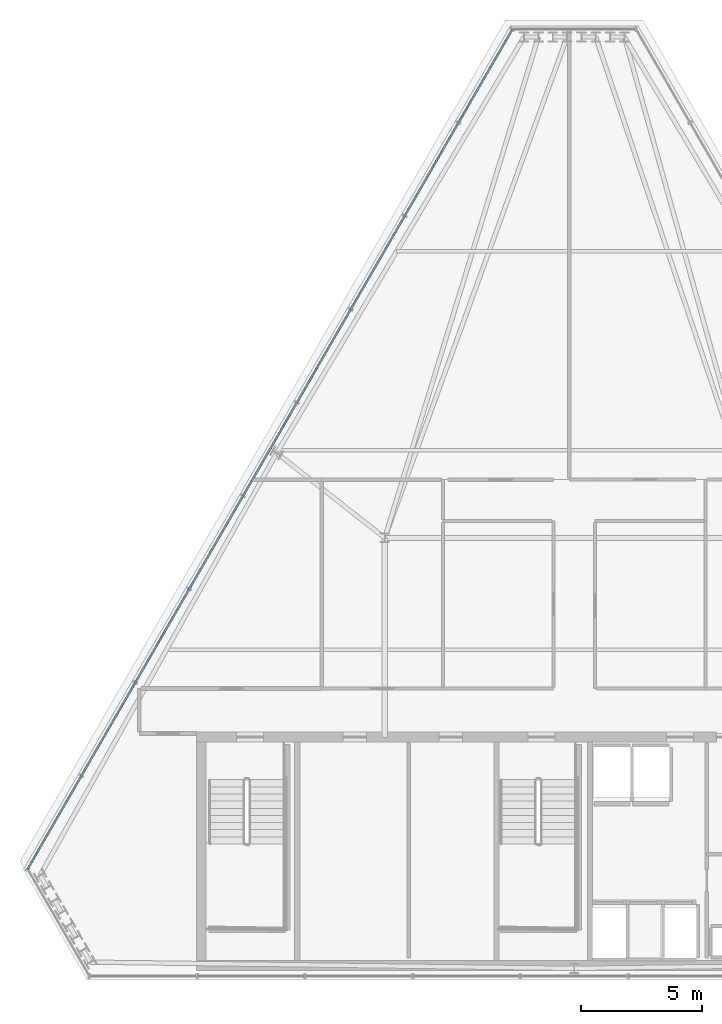
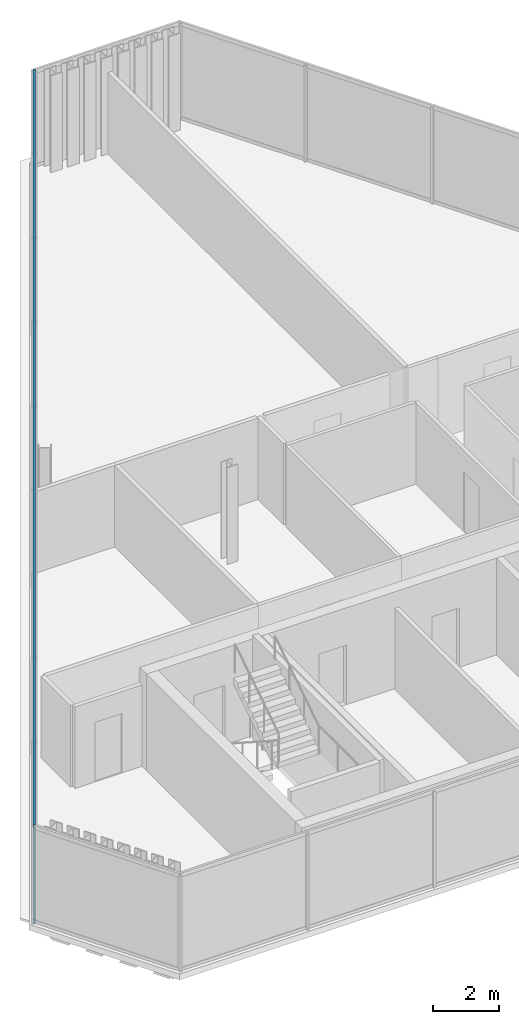
# One storey, part 14 of 35: 2 members, 1 element without a shape of its own.
"""IFC4 building model written with IfcOpenShell, lengths in metres."""

from ifc_helpers import new_model, si_unit, direction, frame, origin, origin_2d, place, context, subcontext, project, spatial, hollow_rectangle, extrude, material, layer, layer_set, material_profile, profile_set, type_object, element, aggregate, save


model = new_model("IFC4")

# Units and contexts
model_context = context("Model", 3, precision=1e-05, world=origin(), true_north=direction((0.0, 1.0)))
body_context = subcontext(model_context, "Body", "Model", "MODEL_VIEW")
ifc_project = project(units=[si_unit("LENGTHUNIT", "METRE"), si_unit("AREAUNIT", "SQUARE_METRE"), si_unit("VOLUMEUNIT", "CUBIC_METRE"), si_unit("PLANEANGLEUNIT", "RADIAN"), si_unit("MASSUNIT", "GRAM", prefix="KILO")], contexts=[model_context])

# Site, building, storey
site_placement = place(None, origin())
site = spatial("IfcSite", under=ifc_project, at=site_placement, CompositionType="ELEMENT")
building_placement = place(site_placement, origin())
building = spatial("IfcBuilding", under=site, at=building_placement, Name="Ndaravel Arena Tower", CompositionType="ELEMENT")
storey_placement = place(building_placement, frame((0.0, 0.0, 271.199951171875)))
storey = spatial("IfcBuildingStorey", under=building, at=storey_placement, Name="L66", CompositionType="ELEMENT", Elevation=271.199951171875)

# Curtain wall, members
ifc_material_1 = material(Name="Aluminium", Category="aluminium")
ifc_layer = layer(ifc_material_1, 0.179931640625)
ifc_layer_set = layer_set([ifc_layer], Name="Aluminium")
curtain_wall_type = type_object("IfcCurtainWallType", Name="CW-SYS-03", PredefinedType="NOTDEFINED", material=ifc_layer_set)
curtain_wall_placement = place(storey_placement, origin())
curtain_wall = element("IfcCurtainWall", 1, at=curtain_wall_placement, inside=storey, type_object=curtain_wall_type, Name="L66 Faceted Crystal Curtain Wall CW-L66-E05", PredefinedType="NOTDEFINED")
ifc_material_2 = material(Name="Aluminium", Category="aluminium")
ifc_material_profile = material_profile(ifc_material_2, hollow_rectangle(XDim=0.074951171875, YDim=0.14990234375, WallThickness=0.00390625, at=origin_2d()), Name="CW TRANSOM 75x150x4")
ifc_profile_set = profile_set([ifc_material_profile], Name="Aluminium")
member_type = type_object("IfcMemberType", Name="MEM-CW-TRN150", PredefinedType="USERDEFINED", material=ifc_profile_set)
member_1_placement = place(storey_placement, frame((39.455078125, 44.137939453125, 0.0400390625), z_axis=(-0.499996339024, -0.86602751744, 0.0), x_axis=(0.86602751744, -0.499996339024, 0.0)))
member_1 = element("IfcMember", 2, at=member_1_placement, type_object=member_type, Name="CW-L66-E05 Transom 01", ObjectType="TRANSOM", PredefinedType="USERDEFINED", context=body_context, shape_type="SweptSolid", body=[
    extrude(hollow_rectangle(XDim=0.074951171875, YDim=0.14990234375, WallThickness=0.00390625, at=origin_2d()), origin(), (0.0, 0.0, 1.0), 39.918212890625),
])
member_2_placement = place(storey_placement, frame((39.455078125, 44.137939453125, 3.5400390625), z_axis=(-0.499996339024, -0.86602751744, 0.0), x_axis=(0.86602751744, -0.499996339024, 0.0)))
member_2 = element("IfcMember", 3, at=member_2_placement, type_object=member_type, Name="CW-L66-E05 Transom 02", ObjectType="TRANSOM", PredefinedType="USERDEFINED", context=body_context, shape_type="SweptSolid", body=[
    extrude(hollow_rectangle(XDim=0.074951171875, YDim=0.14990234375, WallThickness=0.00390625, at=origin_2d()), origin(), (0.0, 0.0, 1.0), 39.918212890625),
])
aggregate(curtain_wall, [member_1, member_2])

save(model, "model.ifc")
